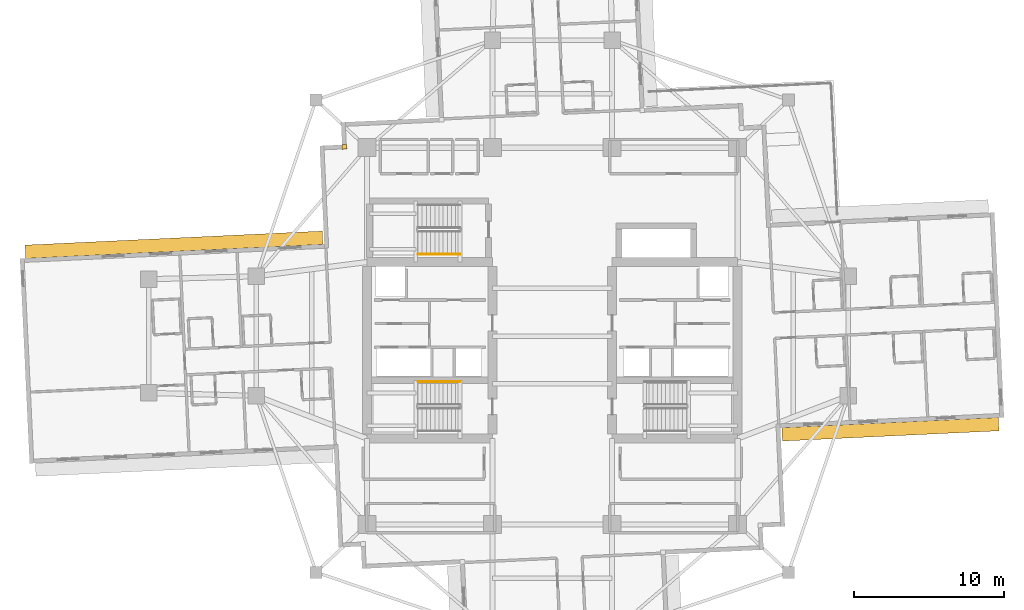
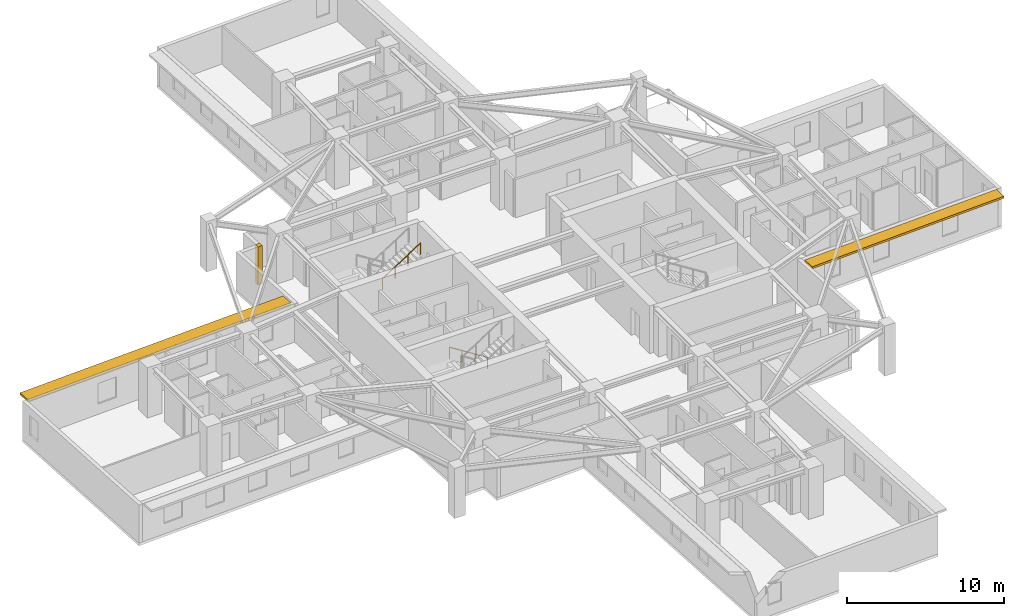
# One storey, part 12 of 14: 2 railings, 2 shading devices, 1 covering.
"""IFC4 building model written with IfcOpenShell, lengths in metres."""

from ifc_helpers import new_model, si_unit, direction, frame, origin, origin_2d, place, context, subcontext, project, spatial, rectangle, circle, extrude, material, layer, layer_set, type_object, element, save


model = new_model("IFC4")

# Units and contexts
model_context = context("Model", 3, precision=1e-05, world=origin(), true_north=direction((0.0, 1.0)))
body_context = subcontext(model_context, "Body", "Model", "MODEL_VIEW")
ifc_project = project(units=[si_unit("LENGTHUNIT", "METRE"), si_unit("AREAUNIT", "SQUARE_METRE"), si_unit("VOLUMEUNIT", "CUBIC_METRE"), si_unit("PLANEANGLEUNIT", "RADIAN"), si_unit("MASSUNIT", "GRAM", prefix="KILO")], contexts=[model_context])

# Site, building, storey
site_placement = place(None, origin())
site = spatial("IfcSite", under=ifc_project, at=site_placement, CompositionType="ELEMENT")
building_placement = place(site_placement, origin())
building = spatial("IfcBuilding", under=site, at=building_placement, Name="Qingluan Cross Belvedere", CompositionType="ELEMENT")
storey_placement = place(building_placement, frame((0.0, 0.0, 132.0)))
storey = spatial("IfcBuildingStorey", under=building, at=storey_placement, Name="L33", CompositionType="ELEMENT", Elevation=132.0)

# Covering
ifc_material_1 = material(Name="Precast concrete C45", Category="concrete")
ifc_layer_1 = layer(ifc_material_1, 0.1201171875, Name="ConcreteSpandrelCladding_120")
ifc_layer_set_1 = layer_set([ifc_layer_1], Name="Precast concrete C45")
covering_type = type_object("IfcCoveringType", Name="ConcreteSpandrelCladding_120", PredefinedType="CLADDING", material=ifc_layer_set_1)
covering_placement = place(storey_placement, frame((-13.911865234375, 12.65869140625, 0.0), z_axis=(0.0, 0.0, 1.0), x_axis=(0.998889874962, 0.04710645071, 0.0)))
element("IfcCovering", 1, at=covering_placement, inside=storey, type_object=covering_type, Name="Corner closure L33-NW1", PredefinedType="CLADDING", context=body_context, shape_type="SweptSolid", body=[
    extrude(rectangle(XDim=0.320068359375, YDim=0.320068359375, at=origin_2d()), origin(), (0.0, 0.0, 1.0), 2.969970703125),
])

# Shading devices
ifc_material_2 = material(Name="Precast concrete C45", Category="concrete")
ifc_layer_2 = layer(ifc_material_2, 0.159912109375, Name="ConcreteSunshadeBand_900")
ifc_layer_set_2 = layer_set([ifc_layer_2], Name="Precast concrete C45")
shading_device_type = type_object("IfcShadingDeviceType", Name="ConcreteSunshadeBand_900", PredefinedType="USERDEFINED", material=ifc_layer_set_2)
shading_device_1_placement = place(storey_placement, frame((22.608642578125, -6.23193359375, 2.7900390625), z_axis=(0.0, 0.0, 1.0), x_axis=(0.99888976521, 0.047108777928, 0.0)))
element("IfcShadingDevice", 2, at=shading_device_1_placement, inside=storey, type_object=shading_device_type, Name="Concrete SUNSHADE L33-EA", ObjectType="SUNSHADE", PredefinedType="USERDEFINED", context=body_context, shape_type="SweptSolid", body=[
    extrude(rectangle(XDim=14.5, YDim=0.89990234375, at=origin_2d()), origin(), (0.0, 0.0, 1.0), 0.159912109375),
])
shading_device_2_placement = place(storey_placement, frame((-25.3056640625, 6.104736328125, 2.7900390625), z_axis=(0.0, 0.0, 1.0), x_axis=(-0.998889735192, -0.04710941444, 0.0)))
element("IfcShadingDevice", 3, at=shading_device_2_placement, inside=storey, type_object=shading_device_type, Name="Concrete SUNSHADE L33-WA", ObjectType="SUNSHADE", PredefinedType="USERDEFINED", context=body_context, shape_type="SweptSolid", body=[
    extrude(rectangle(XDim=19.89990234375, YDim=0.89990234375, at=origin_2d()), origin(), (0.0, 0.0, 1.0), 0.159912109375),
])

# Railings
ifc_material_3 = material(Name="Brushed stainless steel tubular handrail", Category="steel")
railing_type = type_object("IfcRailingType", Name="StairPitchHandrail_900", PredefinedType="HANDRAIL", material=ifc_material_3)
railing_1_placement = place(storey_placement, frame((-6.179931640625, -3.050048828125, 0.17724609375)))
element("IfcRailing", 4, at=railing_1_placement, inside=storey, type_object=railing_type, Name="L33 ST1 stair handrail 1", PredefinedType="HANDRAIL", context=body_context, shape_type="SweptSolid", body=[
    extrude(circle(Radius=0.02392578125, at=origin_2d()), frame((0.0, 0.0, 0.8759765625), z_axis=(-0.844908973607, 0.0, 0.534910110503), x_axis=(0.0, -1.0, 0.0)), (0.0, 0.0, 1.0), 3.31396484375),
    extrude(circle(Radius=0.02099609375, at=origin_2d()), origin(), (0.0, 0.0, 1.0), 0.851806640625),
    extrude(circle(Radius=0.02099609375, at=origin_2d()), frame((-0.933349609375, 0.0, 0.5908203125)), (0.0, 0.0, 1.0), 0.851806640625),
    extrude(circle(Radius=0.02099609375, at=origin_2d()), frame((-1.86669921875, 0.0, 1.181884765625)), (0.0, 0.0, 1.0), 0.851806640625),
    extrude(circle(Radius=0.02099609375, at=origin_2d()), frame((-2.800048828125, 0.0, 1.772705078125)), (0.0, 0.0, 1.0), 0.851806640625),
])
railing_2_placement = place(storey_placement, frame((-8.97998046875, 5.469970703125, 2.127197265625)))
element("IfcRailing", 5, at=railing_2_placement, inside=storey, type_object=railing_type, Name="L33 ST3 stair handrail 2", PredefinedType="HANDRAIL", context=body_context, shape_type="SweptSolid", body=[
    extrude(circle(Radius=0.02392578125, at=origin_2d()), frame((0.0, 0.0, 0.8759765625), z_axis=(0.844908973607, 0.0, 0.534910110503), x_axis=(0.0, 1.0, 0.0)), (0.0, 0.0, 1.0), 3.31396484375),
    extrude(circle(Radius=0.02099609375, at=origin_2d()), origin(), (0.0, 0.0, 1.0), 0.851806640625),
    extrude(circle(Radius=0.02099609375, at=origin_2d()), frame((0.933349609375, 0.0, 0.5908203125)), (0.0, 0.0, 1.0), 0.851806640625),
    extrude(circle(Radius=0.02099609375, at=origin_2d()), frame((1.86669921875, 0.0, 1.181884765625)), (0.0, 0.0, 1.0), 0.851806640625),
    extrude(circle(Radius=0.02099609375, at=origin_2d()), frame((2.800048828125, 0.0, 1.772705078125)), (0.0, 0.0, 1.0), 0.851806640625),
])

save(model, "model.ifc")
